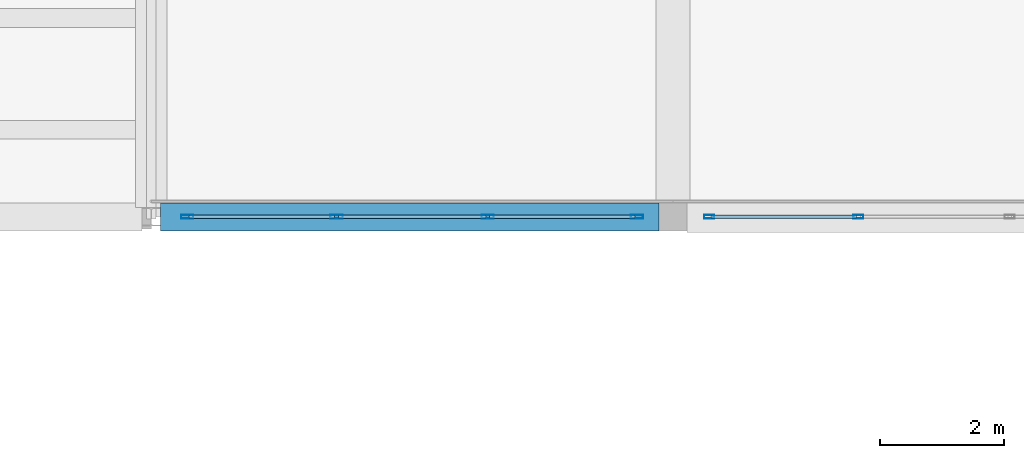
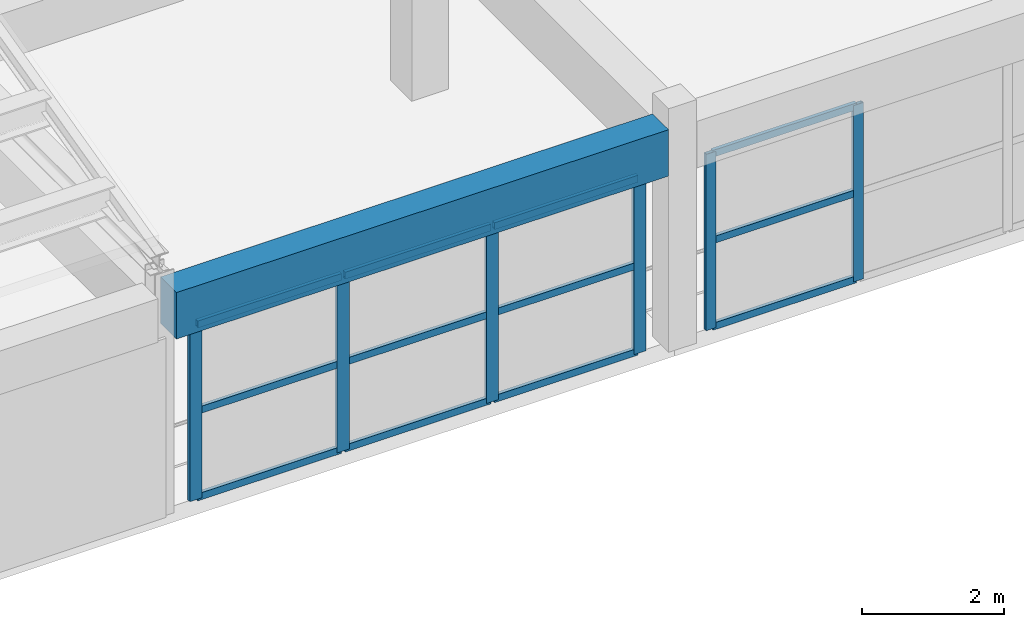
# One storey, part 7 of 74: 18 members, 1 beam, 2 elements without a shape of their own.
"""IFC4 building model written with IfcOpenShell, lengths in metres."""

from ifc_helpers import new_model, si_unit, direction, frame, origin, origin_2d, place, context, subcontext, project, spatial, rectangle, hollow_rectangle, extrude, material, material_profile, profile_set, type_object, element, aggregate, save


model = new_model("IFC4")

# Units and contexts
model_context = context("Model", 3, precision=1e-05, world=origin(), true_north=direction((0.0, 1.0)))
body_context = subcontext(model_context, "Body", "Model", "MODEL_VIEW")
ifc_project = project(units=[si_unit("LENGTHUNIT", "METRE"), si_unit("AREAUNIT", "SQUARE_METRE"), si_unit("VOLUMEUNIT", "CUBIC_METRE"), si_unit("PLANEANGLEUNIT", "RADIAN"), si_unit("MASSUNIT", "GRAM", prefix="KILO")], contexts=[model_context])

# Site, building, storey
site_placement = place(None, origin())
site = spatial("IfcSite", under=ifc_project, at=site_placement, CompositionType="ELEMENT")
building_placement = place(site_placement, origin())
building = spatial("IfcBuilding", under=site, at=building_placement, Name="Korsvaeld Concert Hall", CompositionType="ELEMENT")
storey_placement = place(building_placement, frame((0.0, 0.0, 9.0)))
storey = spatial("IfcBuildingStorey", under=building, at=storey_placement, Name="L02", CompositionType="ELEMENT", Elevation=9.0)

# Beam
ifc_material_1 = material(Name="Concrete C35/45", Category="concrete")
ifc_material_profile_1 = material_profile(ifc_material_1, rectangle(XDim=0.449951171875, YDim=0.800048828125, at=origin_2d()), Name="RC 450x800")
ifc_profile_set_1 = profile_set([ifc_material_profile_1], Name="Concrete C35/45")
beam_type = type_object("IfcBeamType", Name="BM-RC-450x800", PredefinedType="T_BEAM", material=ifc_profile_set_1)
beam_placement = place(storey_placement, frame((58.949951171875, 28.800048828125, 3.43994140625), z_axis=(1.0, 0.0, 0.0), x_axis=(0.0, 1.0, 0.0)))
element("IfcBeam", 1, at=beam_placement, inside=storey, type_object=beam_type, Name="Primary girder 9-10/E L02", PredefinedType="T_BEAM", context=body_context, shape_type="SweptSolid", body=[
    extrude(rectangle(XDim=0.449951171875, YDim=0.800048828125, at=origin_2d()), origin(), (0.0, 0.0, 1.0), 8.025146484375),
])

# Curtain wall, members
ifc_material_2 = material(Name="Anodised bronze and ceramic-fritted safety glass", Category="glass")
curtain_wall_type_1 = type_object("IfcCurtainWallType", Name="CW-TYPE-09", PredefinedType="USERDEFINED", material=ifc_material_2)
curtain_wall_1_placement = place(storey_placement, origin())
curtain_wall_1 = element("IfcCurtainWall", 2, at=curtain_wall_1_placement, inside=storey, type_object=curtain_wall_type_1, Name="Wintergarden foyer curtain wall L02-17", ObjectType="CURTAIN WALL", PredefinedType="USERDEFINED")
ifc_material_3 = material(Name="Anodised architectural bronze aluminium", Category="aluminium")
ifc_material_profile_2 = material_profile(ifc_material_3, hollow_rectangle(XDim=0.06005859375, YDim=0.159912109375, WallThickness=0.00390625, at=origin_2d()), Name="CWM 160x60x4")
ifc_profile_set_2 = profile_set([ifc_material_profile_2], Name="Anodised architectural bronze aluminium")
member_type_1 = type_object("IfcMemberType", Name="CWM-ALUM-160x60", PredefinedType="MULLION", material=ifc_profile_set_2)
member_1_placement = place(storey_placement, frame((70.183349609375, 28.800048828125, 0.0), z_axis=(0.0, 0.0, 1.0), x_axis=(0.0, -1.0, 0.0)))
member_1 = element("IfcMember", 3, at=member_1_placement, type_object=member_type_1, Name="CW-09 mullion 3", PredefinedType="MULLION", context=body_context, shape_type="SweptSolid", body=[
    extrude(hollow_rectangle(XDim=0.06005859375, YDim=0.159912109375, WallThickness=0.00390625, at=origin_2d()), origin(), (0.0, 0.0, 1.0), 3.0400390625),
])
member_2_placement = place(storey_placement, frame((67.780029296875, 28.800048828125, 0.0), z_axis=(0.0, 0.0, 1.0), x_axis=(0.0, -1.0, 0.0)))
member_2 = element("IfcMember", 4, at=member_2_placement, type_object=member_type_1, Name="CW-09 mullion 4", PredefinedType="MULLION", context=body_context, shape_type="SweptSolid", body=[
    extrude(hollow_rectangle(XDim=0.06005859375, YDim=0.159912109375, WallThickness=0.00390625, at=origin_2d()), origin(), (0.0, 0.0, 1.0), 3.0400390625),
])

curtain_wall_type_2 = type_object("IfcCurtainWallType", Name="CW-TYPE-10", PredefinedType="USERDEFINED", material=ifc_material_2)
curtain_wall_2_placement = place(storey_placement, origin())
curtain_wall_2 = element("IfcCurtainWall", 5, at=curtain_wall_2_placement, inside=storey, type_object=curtain_wall_type_2, Name="Wintergarden foyer curtain wall L02-18", ObjectType="CURTAIN WALL", PredefinedType="USERDEFINED")
ifc_material_profile_3 = material_profile(ifc_material_3, hollow_rectangle(XDim=0.06005859375, YDim=0.199951171875, WallThickness=0.0048828125, at=origin_2d()), Name="CWM 200x60x5")
ifc_profile_set_3 = profile_set([ifc_material_profile_3], Name="Anodised architectural bronze aluminium")
member_type_2 = type_object("IfcMemberType", Name="CWM-ALUM-200x60", PredefinedType="MULLION", material=ifc_profile_set_3)
member_3_placement = place(storey_placement, frame((66.6201171875, 28.800048828125, 0.0), z_axis=(0.0, 0.0, 1.0), x_axis=(0.0, -1.0, 0.0)))
member_3 = element("IfcMember", 6, at=member_3_placement, type_object=member_type_2, Name="CW-10 mullion 1", PredefinedType="MULLION", context=body_context, shape_type="SweptSolid", body=[
    extrude(hollow_rectangle(XDim=0.06005859375, YDim=0.199951171875, WallThickness=0.0048828125, at=origin_2d()), origin(), (0.0, 0.0, 1.0), 3.0400390625),
])
member_4_placement = place(storey_placement, frame((64.216552734375, 28.800048828125, 0.0), z_axis=(0.0, 0.0, 1.0), x_axis=(0.0, -1.0, 0.0)))
member_4 = element("IfcMember", 7, at=member_4_placement, type_object=member_type_2, Name="CW-10 mullion 2", PredefinedType="MULLION", context=body_context, shape_type="SweptSolid", body=[
    extrude(hollow_rectangle(XDim=0.06005859375, YDim=0.199951171875, WallThickness=0.0048828125, at=origin_2d()), origin(), (0.0, 0.0, 1.0), 3.0400390625),
])
member_5_placement = place(storey_placement, frame((61.783447265625, 28.800048828125, 0.0), z_axis=(0.0, 0.0, 1.0), x_axis=(0.0, -1.0, 0.0)))
member_5 = element("IfcMember", 8, at=member_5_placement, type_object=member_type_2, Name="CW-10 mullion 3", PredefinedType="MULLION", context=body_context, shape_type="SweptSolid", body=[
    extrude(hollow_rectangle(XDim=0.06005859375, YDim=0.199951171875, WallThickness=0.0048828125, at=origin_2d()), origin(), (0.0, 0.0, 1.0), 3.0400390625),
])
member_6_placement = place(storey_placement, frame((59.3798828125, 28.800048828125, 0.0), z_axis=(0.0, 0.0, 1.0), x_axis=(0.0, -1.0, 0.0)))
member_6 = element("IfcMember", 9, at=member_6_placement, type_object=member_type_2, Name="CW-10 mullion 4", PredefinedType="MULLION", context=body_context, shape_type="SweptSolid", body=[
    extrude(hollow_rectangle(XDim=0.06005859375, YDim=0.199951171875, WallThickness=0.0048828125, at=origin_2d()), origin(), (0.0, 0.0, 1.0), 3.0400390625),
])

# Member
ifc_material_profile_4 = material_profile(ifc_material_3, hollow_rectangle(XDim=0.06005859375, YDim=0.1201171875, WallThickness=0.00390625, at=origin_2d()), Name="CWT 120x60x4")
ifc_profile_set_4 = profile_set([ifc_material_profile_4], Name="Anodised architectural bronze aluminium")
member_type_3 = type_object("IfcMemberType", Name="CWT-ALUM-120x60", PredefinedType="USERDEFINED", material=ifc_profile_set_4)
member_7_placement = place(storey_placement, frame((70.1533203125, 28.800048828125, 0.030029296875), z_axis=(-1.0, 0.0, 0.0), x_axis=(0.0, -1.0, 0.0)))
member_7 = element("IfcMember", 10, at=member_7_placement, type_object=member_type_3, Name="CW-09 transom 3.1", ObjectType="TRANSOM", PredefinedType="USERDEFINED", context=body_context, shape_type="SweptSolid", body=[
    extrude(hollow_rectangle(XDim=0.06005859375, YDim=0.1201171875, WallThickness=0.00390625, at=origin_2d()), origin(), (0.0, 0.0, 1.0), 2.34326171875),
])

member_8_placement = place(storey_placement, frame((70.1533203125, 28.800048828125, 1.52001953125), z_axis=(-1.0, 0.0, 0.0), x_axis=(0.0, -1.0, 0.0)))
member_8 = element("IfcMember", 11, at=member_8_placement, type_object=member_type_3, Name="CW-09 transom 3.2", ObjectType="TRANSOM", PredefinedType="USERDEFINED", context=body_context, shape_type="SweptSolid", body=[
    extrude(hollow_rectangle(XDim=0.06005859375, YDim=0.1201171875, WallThickness=0.00390625, at=origin_2d()), origin(), (0.0, 0.0, 1.0), 2.34326171875),
])

member_9_placement = place(storey_placement, frame((70.1533203125, 28.800048828125, 3.010009765625), z_axis=(-1.0, 0.0, 0.0), x_axis=(0.0, -1.0, 0.0)))
member_9 = element("IfcMember", 12, at=member_9_placement, type_object=member_type_3, Name="CW-09 transom 3.3", ObjectType="TRANSOM", PredefinedType="USERDEFINED", context=body_context, shape_type="SweptSolid", body=[
    extrude(hollow_rectangle(XDim=0.06005859375, YDim=0.1201171875, WallThickness=0.00390625, at=origin_2d()), origin(), (0.0, 0.0, 1.0), 2.34326171875),
])

aggregate(curtain_wall_1, [member_1, member_2, member_7, member_8, member_9])

member_10_placement = place(storey_placement, frame((66.590087890625, 28.800048828125, 0.030029296875), z_axis=(-1.0, 0.0, 0.0), x_axis=(0.0, -1.0, 0.0)))
member_10 = element("IfcMember", 13, at=member_10_placement, type_object=member_type_3, Name="CW-10 transom 1.1", ObjectType="TRANSOM", PredefinedType="USERDEFINED", context=body_context, shape_type="SweptSolid", body=[
    extrude(hollow_rectangle(XDim=0.06005859375, YDim=0.1201171875, WallThickness=0.00390625, at=origin_2d()), origin(), (0.0, 0.0, 1.0), 2.343505859375),
])

member_11_placement = place(storey_placement, frame((66.590087890625, 28.800048828125, 1.52001953125), z_axis=(-1.0, 0.0, 0.0), x_axis=(0.0, -1.0, 0.0)))
member_11 = element("IfcMember", 14, at=member_11_placement, type_object=member_type_3, Name="CW-10 transom 1.2", ObjectType="TRANSOM", PredefinedType="USERDEFINED", context=body_context, shape_type="SweptSolid", body=[
    extrude(hollow_rectangle(XDim=0.06005859375, YDim=0.1201171875, WallThickness=0.00390625, at=origin_2d()), origin(), (0.0, 0.0, 1.0), 2.343505859375),
])

member_12_placement = place(storey_placement, frame((66.590087890625, 28.800048828125, 3.010009765625), z_axis=(-1.0, 0.0, 0.0), x_axis=(0.0, -1.0, 0.0)))
member_12 = element("IfcMember", 15, at=member_12_placement, type_object=member_type_3, Name="CW-10 transom 1.3", ObjectType="TRANSOM", PredefinedType="USERDEFINED", context=body_context, shape_type="SweptSolid", body=[
    extrude(hollow_rectangle(XDim=0.06005859375, YDim=0.1201171875, WallThickness=0.00390625, at=origin_2d()), origin(), (0.0, 0.0, 1.0), 2.343505859375),
])

member_13_placement = place(storey_placement, frame((64.186767578125, 28.800048828125, 0.030029296875), z_axis=(-1.0, 0.0, 0.0), x_axis=(0.0, -1.0, 0.0)))
member_13 = element("IfcMember", 16, at=member_13_placement, type_object=member_type_3, Name="CW-10 transom 2.1", ObjectType="TRANSOM", PredefinedType="USERDEFINED", context=body_context, shape_type="SweptSolid", body=[
    extrude(hollow_rectangle(XDim=0.06005859375, YDim=0.1201171875, WallThickness=0.00390625, at=origin_2d()), origin(), (0.0, 0.0, 1.0), 2.37353515625),
])

member_14_placement = place(storey_placement, frame((64.186767578125, 28.800048828125, 1.52001953125), z_axis=(-1.0, 0.0, 0.0), x_axis=(0.0, -1.0, 0.0)))
member_14 = element("IfcMember", 17, at=member_14_placement, type_object=member_type_3, Name="CW-10 transom 2.2", ObjectType="TRANSOM", PredefinedType="USERDEFINED", context=body_context, shape_type="SweptSolid", body=[
    extrude(hollow_rectangle(XDim=0.06005859375, YDim=0.1201171875, WallThickness=0.00390625, at=origin_2d()), origin(), (0.0, 0.0, 1.0), 2.37353515625),
])

member_15_placement = place(storey_placement, frame((64.186767578125, 28.800048828125, 3.010009765625), z_axis=(-1.0, 0.0, 0.0), x_axis=(0.0, -1.0, 0.0)))
member_15 = element("IfcMember", 18, at=member_15_placement, type_object=member_type_3, Name="CW-10 transom 2.3", ObjectType="TRANSOM", PredefinedType="USERDEFINED", context=body_context, shape_type="SweptSolid", body=[
    extrude(hollow_rectangle(XDim=0.06005859375, YDim=0.1201171875, WallThickness=0.00390625, at=origin_2d()), origin(), (0.0, 0.0, 1.0), 2.37353515625),
])

member_16_placement = place(storey_placement, frame((61.75341796875, 28.800048828125, 0.030029296875), z_axis=(-1.0, 0.0, 0.0), x_axis=(0.0, -1.0, 0.0)))
member_16 = element("IfcMember", 19, at=member_16_placement, type_object=member_type_3, Name="CW-10 transom 3.1", ObjectType="TRANSOM", PredefinedType="USERDEFINED", context=body_context, shape_type="SweptSolid", body=[
    extrude(hollow_rectangle(XDim=0.06005859375, YDim=0.1201171875, WallThickness=0.00390625, at=origin_2d()), origin(), (0.0, 0.0, 1.0), 2.343505859375),
])

member_17_placement = place(storey_placement, frame((61.75341796875, 28.800048828125, 1.52001953125), z_axis=(-1.0, 0.0, 0.0), x_axis=(0.0, -1.0, 0.0)))
member_17 = element("IfcMember", 20, at=member_17_placement, type_object=member_type_3, Name="CW-10 transom 3.2", ObjectType="TRANSOM", PredefinedType="USERDEFINED", context=body_context, shape_type="SweptSolid", body=[
    extrude(hollow_rectangle(XDim=0.06005859375, YDim=0.1201171875, WallThickness=0.00390625, at=origin_2d()), origin(), (0.0, 0.0, 1.0), 2.343505859375),
])

member_18_placement = place(storey_placement, frame((61.75341796875, 28.800048828125, 3.010009765625), z_axis=(-1.0, 0.0, 0.0), x_axis=(0.0, -1.0, 0.0)))
member_18 = element("IfcMember", 21, at=member_18_placement, type_object=member_type_3, Name="CW-10 transom 3.3", ObjectType="TRANSOM", PredefinedType="USERDEFINED", context=body_context, shape_type="SweptSolid", body=[
    extrude(hollow_rectangle(XDim=0.06005859375, YDim=0.1201171875, WallThickness=0.00390625, at=origin_2d()), origin(), (0.0, 0.0, 1.0), 2.343505859375),
])

aggregate(curtain_wall_2, [member_3, member_4, member_5, member_6, member_10, member_11, member_12, member_13, member_14, member_15, member_16, member_17, member_18])

save(model, "model.ifc")
